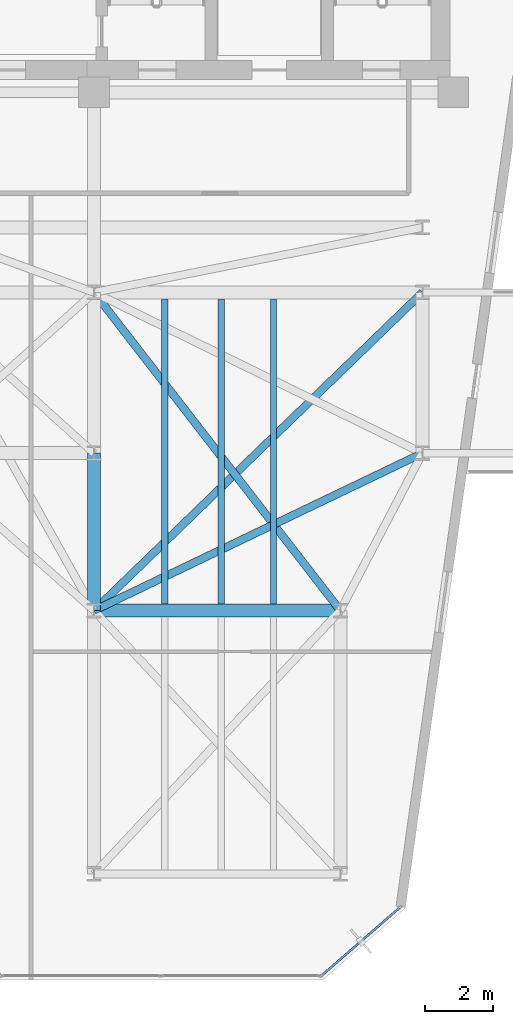
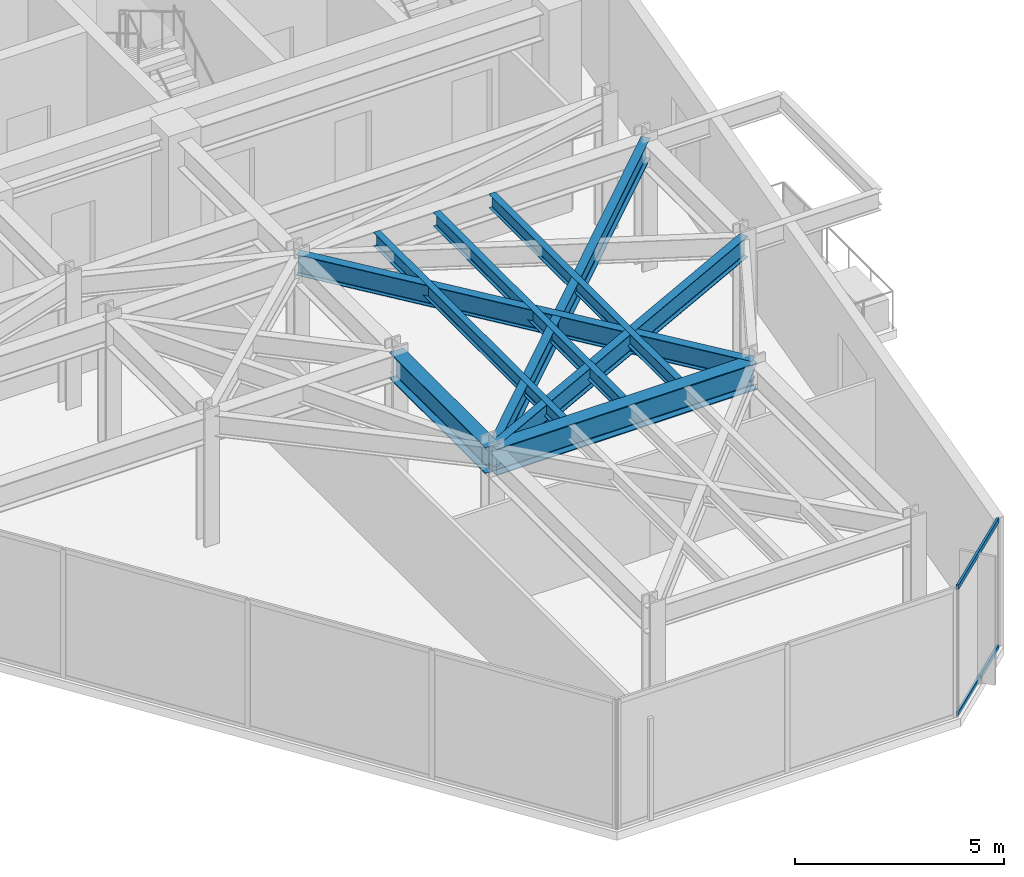
# One storey, part 19 of 27: 8 beams, 2 members, 1 element without a shape of its own.
"""IFC4 building model written with IfcOpenShell, lengths in metres."""

from ifc_helpers import new_model, si_unit, direction, frame, origin, origin_2d, place, context, subcontext, project, spatial, hollow_rectangle, i_section, extrude, material, layer, layer_set, material_profile, profile_set, type_object, element, aggregate, save


model = new_model("IFC4")

# Units and contexts
model_context = context("Model", 3, precision=1e-05, world=origin(), true_north=direction((0.0, 1.0)))
body_context = subcontext(model_context, "Body", "Model", "MODEL_VIEW")
ifc_project = project(units=[si_unit("LENGTHUNIT", "METRE"), si_unit("AREAUNIT", "SQUARE_METRE"), si_unit("VOLUMEUNIT", "CUBIC_METRE"), si_unit("PLANEANGLEUNIT", "RADIAN"), si_unit("MASSUNIT", "GRAM", prefix="KILO")], contexts=[model_context])

# Site, building, storey
site_placement = place(None, origin())
site = spatial("IfcSite", under=ifc_project, at=site_placement, CompositionType="ELEMENT")
building_placement = place(site_placement, origin())
building = spatial("IfcBuilding", under=site, at=building_placement, Name="Kravanh Interchange Tower", CompositionType="ELEMENT")
storey_placement = place(building_placement, frame((0.0, 0.0, 164.5)))
storey = spatial("IfcBuildingStorey", under=building, at=storey_placement, Name="L39", CompositionType="ELEMENT", Elevation=164.5)

# Curtain wall, members
ifc_material_1 = material(Name="Anodised Bronze Aluminium", Category="aluminium")
ifc_layer = layer(ifc_material_1, 0.179931640625)
ifc_layer_set = layer_set([ifc_layer], Name="Unitised Curtain Wall System CW-Z3 Upper Office")
curtain_wall_type = type_object("IfcCurtainWallType", Name="Unitised Curtain Wall System CW-Z3 Upper Office", PredefinedType="NOTDEFINED", material=ifc_layer_set)
curtain_wall_placement = place(storey_placement, origin())
curtain_wall = element("IfcCurtainWall", 1, at=curtain_wall_placement, inside=storey, type_object=curtain_wall_type, Name="L39 Unitised Curtain Wall CW-L39-02", PredefinedType="NOTDEFINED")
ifc_material_2 = material(Name="Anodised Bronze Aluminium", Category="aluminium")
ifc_material_profile_1 = material_profile(ifc_material_2, hollow_rectangle(XDim=0.06005859375, YDim=0.139892578125, WallThickness=0.00390625, at=origin_2d()), Name="ALU60X140X4")
ifc_profile_set_1 = profile_set([ifc_material_profile_1], Name="Anodised Bronze Aluminium")
member_type = type_object("IfcMemberType", Name="Curtain Wall Transom ALU60X140X4 Bronze", PredefinedType="USERDEFINED", material=ifc_profile_set_1)
member_1_placement = place(storey_placement, frame((64.92041015625, 13.501220703125, 0.030029296875), z_axis=(-0.754744002238, -0.656019428893, 0.0), x_axis=(0.656019428893, -0.754744002238, 0.0)))
member_1 = element("IfcMember", 2, at=member_1_placement, type_object=member_type, Name="CW-Z3 transom 1.1", ObjectType="TRANSOM", PredefinedType="USERDEFINED", context=body_context, shape_type="SweptSolid", body=[
    extrude(hollow_rectangle(XDim=0.06005859375, YDim=0.139892578125, WallThickness=0.00390625, at=origin_2d()), origin(), (0.0, 0.0, 1.0), 2.960205078125),
])
member_2_placement = place(storey_placement, frame((64.92041015625, 13.501220703125, 3.72509765625), z_axis=(-0.754744002238, -0.656019428893, 0.0), x_axis=(0.656019428893, -0.754744002238, 0.0)))
member_2 = element("IfcMember", 3, at=member_2_placement, type_object=member_type, Name="CW-Z3 transom 1.2", ObjectType="TRANSOM", PredefinedType="USERDEFINED", context=body_context, shape_type="SweptSolid", body=[
    extrude(hollow_rectangle(XDim=0.06005859375, YDim=0.139892578125, WallThickness=0.00390625, at=origin_2d()), origin(), (0.0, 0.0, 1.0), 2.960205078125),
])
aggregate(curtain_wall, [member_1, member_2])

# Beams
ifc_material_3 = material(Name="Structural Steel S355", Category="steel")
ifc_material_profile_2 = material_profile(ifc_material_3, i_section(OverallWidth=0.381103515625, OverallDepth=0.77294921875, WebThickness=0.0166015625, FlangeThickness=0.027099609375, FilletRadius=0.02490234375, at=origin_2d()), Name="W30X173")
ifc_profile_set_2 = profile_set([ifc_material_profile_2], Name="Structural Steel S355")
beam_type_1 = type_object("IfcBeamType", Name="Floor Beam W30X173 Structural Steel S355", PredefinedType="BEAM", material=ifc_profile_set_2)
beam_1_placement = place(storey_placement, frame((56.0, 26.800048828125, 3.368408203125), z_axis=(0.0, -1.0, 0.0), x_axis=(1.0, 0.0, 0.0)))
element("IfcBeam", 4, at=beam_1_placement, inside=storey, type_object=beam_type_1, Name="L39 Primary Floor Girder 53", PredefinedType="BEAM", context=body_context, shape_type="SweptSolid", body=[
    extrude(i_section(OverallWidth=0.381103515625, OverallDepth=0.77294921875, WebThickness=0.0166015625, FlangeThickness=0.027099609375, FilletRadius=0.02490234375, at=origin_2d()), origin(), (0.0, 0.0, 1.0), 4.60009765625),
])
beam_2_placement = place(storey_placement, frame((56.0, 22.199951171875, 3.368408203125), z_axis=(1.0, 0.0, 0.0), x_axis=(0.0, 1.0, 0.0)))
element("IfcBeam", 5, at=beam_2_placement, inside=storey, type_object=beam_type_1, Name="L39 Primary Floor Girder 92", PredefinedType="BEAM", context=body_context, shape_type="SweptSolid", body=[
    extrude(i_section(OverallWidth=0.381103515625, OverallDepth=0.77294921875, WebThickness=0.0166015625, FlangeThickness=0.027099609375, FilletRadius=0.02490234375, at=origin_2d()), origin(), (0.0, 0.0, 1.0), 7.199951171875),
])
ifc_material_4 = material(Name="Structural Steel S355", Category="steel")
ifc_material_profile_3 = material_profile(ifc_material_4, i_section(OverallWidth=0.177978515625, OverallDepth=0.406005859375, WebThickness=0.0078125, FlangeThickness=0.0126953125, FilletRadius=0.01611328125, at=origin_2d()), Name="W16X40")
ifc_profile_set_3 = profile_set([ifc_material_profile_3], Name="Structural Steel S355")
beam_type_2 = type_object("IfcBeamType", Name="Floor Joist W16X40 Structural Steel S355", PredefinedType="JOIST", material=ifc_profile_set_3)
for number, where, z_axis, x_axis, name in (
    (6, (58.06591796875, 22.385498046875, 3.552001953125), (0.0, 1.0, 0.0), (-1.0, 0.0, 0.0), "L39 Secondary Floor Joist 10"),
    (7, (59.718017578125, 22.385498046875, 3.552001953125), (0.0, 1.0, 0.0), (-1.0, 0.0, 0.0), "L39 Secondary Floor Joist 11"),
    (8, (61.251953125, 22.385498046875, 3.552001953125), (0.0, 1.0, 0.0), (-1.0, 0.0, 0.0), "L39 Secondary Floor Joist 12"),
):
    element("IfcBeam", number, at=place(storey_placement, frame(where, z_axis=z_axis, x_axis=x_axis)), inside=storey, type_object=beam_type_2, Name=name, PredefinedType="JOIST", context=body_context, shape_type="SweptSolid", body=[
        extrude(i_section(OverallWidth=0.177978515625, OverallDepth=0.406005859375, WebThickness=0.0078125, FlangeThickness=0.0126953125, FilletRadius=0.01611328125, at=origin_2d()), origin(), (0.0, 0.0, 1.0), 8.928955078125),
    ])
ifc_material_5 = material(Name="Structural Steel S355", Category="steel")
ifc_material_profile_4 = material_profile(ifc_material_5, i_section(OverallWidth=0.22802734375, OverallDepth=0.60791015625, WebThickness=0.01123046875, FlangeThickness=0.017333984375, FilletRadius=0.02197265625, at=origin_2d()), Name="W24X76")
ifc_profile_set_4 = profile_set([ifc_material_profile_4], Name="Structural Steel S355")
beam_type_3 = type_object("IfcBeamType", Name="Floor Spandrel W24X76 Structural Steel S355", PredefinedType="SPANDREL", material=ifc_profile_set_4)
beam_3_placement = place(storey_placement, frame((65.60009765625, 26.800048828125, 3.450927734375), z_axis=(-0.901814166789, -0.432124066188, 0.0), x_axis=(0.432124066188, -0.901814166789, 0.0)))
element("IfcBeam", 9, at=beam_3_placement, inside=storey, type_object=beam_type_3, Name="L39 Perimeter Spandrel 59", PredefinedType="SPANDREL", context=body_context, shape_type="SweptSolid", body=[
    extrude(i_section(OverallWidth=0.22802734375, OverallDepth=0.60791015625, WebThickness=0.01123046875, FlangeThickness=0.017333984375, FilletRadius=0.02197265625, at=origin_2d()), origin(), (0.0, 0.0, 1.0), 10.645263671875),
])
beam_4_placement = place(storey_placement, frame((56.0, 31.5, 3.450927734375), z_axis=(0.612168587637, -0.790727273028, 0.0), x_axis=(0.790727273028, 0.612168587637, 0.0)))
element("IfcBeam", 10, at=beam_4_placement, inside=storey, type_object=beam_type_3, Name="L39 Perimeter Spandrel 83", PredefinedType="SPANDREL", context=body_context, shape_type="SweptSolid", body=[
    extrude(i_section(OverallWidth=0.22802734375, OverallDepth=0.60791015625, WebThickness=0.01123046875, FlangeThickness=0.017333984375, FilletRadius=0.02197265625, at=origin_2d()), origin(), (0.0, 0.0, 1.0), 11.761474609375),
])
beam_5_placement = place(storey_placement, frame((65.60009765625, 31.5, 3.450927734375), z_axis=(-0.718241934329, -0.695793449072, 0.0), x_axis=(0.695793449072, -0.718241934329, 0.0)))
element("IfcBeam", 11, at=beam_5_placement, inside=storey, type_object=beam_type_3, Name="L39 Perimeter Spandrel 85", PredefinedType="SPANDREL", context=body_context, shape_type="SweptSolid", body=[
    extrude(i_section(OverallWidth=0.22802734375, OverallDepth=0.60791015625, WebThickness=0.01123046875, FlangeThickness=0.017333984375, FilletRadius=0.02197265625, at=origin_2d()), origin(), (0.0, 0.0, 1.0), 13.3662109375),
])

save(model, "model.ifc")
